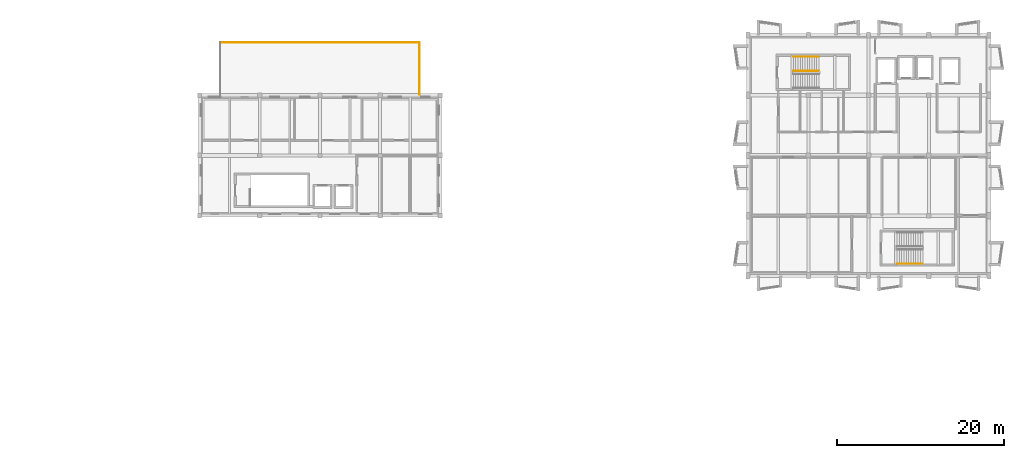
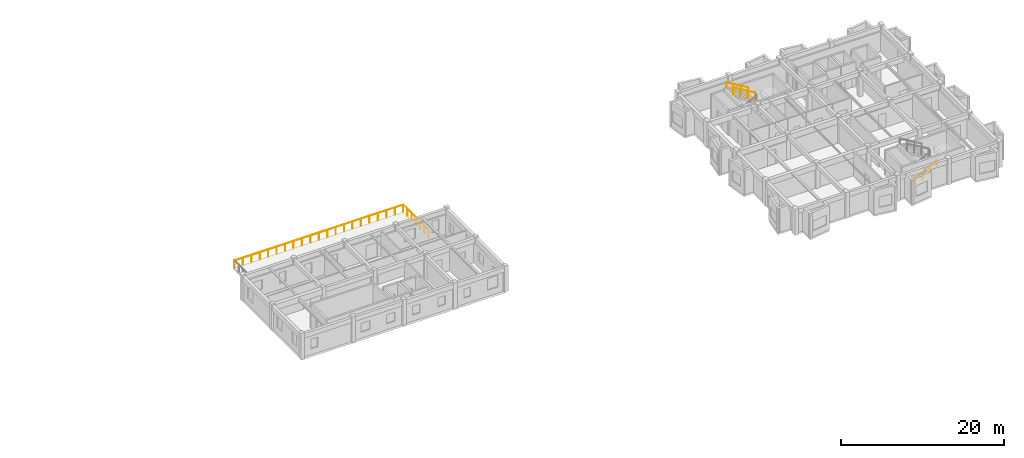
# One storey, part 11 of 12: 5 railings.
"""IFC4 building model written with IfcOpenShell, lengths in metres."""

from ifc_helpers import new_model, si_unit, direction, frame, origin, origin_2d, place, context, subcontext, project, spatial, circle, extrude, material, type_object, element, save


model = new_model("IFC4")

# Units and contexts
model_context = context("Model", 3, precision=1e-05, world=origin(), true_north=direction((0.0, 1.0)))
body_context = subcontext(model_context, "Body", "Model", "MODEL_VIEW")
ifc_project = project(units=[si_unit("LENGTHUNIT", "METRE"), si_unit("AREAUNIT", "SQUARE_METRE"), si_unit("VOLUMEUNIT", "CUBIC_METRE"), si_unit("PLANEANGLEUNIT", "RADIAN"), si_unit("MASSUNIT", "GRAM", prefix="KILO")], contexts=[model_context])

# Site, building, storey
site_placement = place(None, origin())
site = spatial("IfcSite", under=ifc_project, at=site_placement, CompositionType="ELEMENT")
building_placement = place(site_placement, origin())
building = spatial("IfcBuilding", under=site, at=building_placement, Name="Bramveld Media Centre", CompositionType="ELEMENT")
storey_placement = place(building_placement, frame((0.0, 0.0, 21.89990234375)))
storey = spatial("IfcBuildingStorey", under=building, at=storey_placement, Name="L05", CompositionType="ELEMENT", Elevation=21.89990234375)

# Railings
ifc_material_1 = material(Name="Painted galvanized steel stairwell guardrail", Category="steel")
railing_type_1 = type_object("IfcRailingType", Name="RAIL-STAIR-GUARD-1150", PredefinedType="GUARDRAIL", material=ifc_material_1)
railing_1_placement = place(storey_placement, frame((139.679931640625, 107.699951171875, 2.112548828125)))
element("IfcRailing", 1, at=railing_1_placement, inside=storey, type_object=railing_type_1, Name="L05 ST-01 stair guard 3", PredefinedType="GUARDRAIL", context=body_context, shape_type="SweptSolid", body=[
    extrude(circle(Radius=0.02392578125, at=origin_2d()), frame((0.0, 0.0, 1.1259765625), z_axis=(-0.864873446163, 0.0, 0.501989962173), x_axis=(0.0, -1.0, 0.0)), (0.0, 0.0, 1.0), 3.56103515625),
    extrude(circle(Radius=0.02099609375, at=origin_2d()), origin(), (0.0, 0.0, 1.0), 1.101806640625),
    extrude(circle(Radius=0.02099609375, at=origin_2d()), frame((-1.026611328125, 0.0, 0.595947265625)), (0.0, 0.0, 1.0), 1.101806640625),
    extrude(circle(Radius=0.02099609375, at=origin_2d()), frame((-2.05322265625, 0.0, 1.191650390625)), (0.0, 0.0, 1.0), 1.101806640625),
    extrude(circle(Radius=0.02099609375, at=origin_2d()), frame((-3.079833984375, 0.0, 1.78759765625)), (0.0, 0.0, 1.0), 1.101806640625),
])
ifc_material_2 = material(Name="Brushed stainless steel tubular stair handrail", Category="steel")
railing_type_2 = type_object("IfcRailingType", Name="RAIL-STAIR-HAND-0920", PredefinedType="HANDRAIL", material=ifc_material_2)
railing_2_placement = place(storey_placement, frame((139.679931640625, 109.39990234375, 2.112548828125)))
element("IfcRailing", 2, at=railing_2_placement, inside=storey, type_object=railing_type_2, Name="L05 ST-01 stair handrail 2", PredefinedType="HANDRAIL", context=body_context, shape_type="SweptSolid", body=[
    extrude(circle(Radius=0.02392578125, at=origin_2d()), frame((0.0, 0.0, 0.8759765625), z_axis=(-0.864873446163, 0.0, 0.501989962173), x_axis=(0.0, -1.0, 0.0)), (0.0, 0.0, 1.0), 3.56103515625),
    extrude(circle(Radius=0.02099609375, at=origin_2d()), origin(), (0.0, 0.0, 1.0), 0.851806640625),
    extrude(circle(Radius=0.02099609375, at=origin_2d()), frame((-1.026611328125, 0.0, 0.595947265625)), (0.0, 0.0, 1.0), 0.851806640625),
    extrude(circle(Radius=0.02099609375, at=origin_2d()), frame((-2.05322265625, 0.0, 1.191650390625)), (0.0, 0.0, 1.0), 0.851806640625),
    extrude(circle(Radius=0.02099609375, at=origin_2d()), frame((-3.079833984375, 0.0, 1.78759765625)), (0.0, 0.0, 1.0), 0.851806640625),
])
railing_3_placement = place(storey_placement, frame((149.0, 84.64990234375, 0.16259765625)))
element("IfcRailing", 3, at=railing_3_placement, inside=storey, type_object=railing_type_2, Name="L05 ST-02 stair handrail 1", PredefinedType="HANDRAIL", context=body_context, shape_type="SweptSolid", body=[
    extrude(circle(Radius=0.02392578125, at=origin_2d()), frame((0.0, 0.0, 0.8759765625), z_axis=(0.864890721111, 0.0, 0.501960198159), x_axis=(0.0, 1.0, 0.0)), (0.0, 0.0, 1.0), 3.561279296875),
    extrude(circle(Radius=0.02099609375, at=origin_2d()), origin(), (0.0, 0.0, 1.0), 0.851806640625),
    extrude(circle(Radius=0.02099609375, at=origin_2d()), frame((1.026611328125, 0.0, 0.595947265625)), (0.0, 0.0, 1.0), 0.851806640625),
    extrude(circle(Radius=0.02099609375, at=origin_2d()), frame((2.053466796875, 0.0, 1.191650390625)), (0.0, 0.0, 1.0), 0.851806640625),
    extrude(circle(Radius=0.02099609375, at=origin_2d()), frame((3.080078125, 0.0, 1.78759765625)), (0.0, 0.0, 1.0), 0.851806640625),
])
ifc_material_3 = material(Name="Powder-coated bronze galvanized steel balustrade", Category="steel")
railing_type_3 = type_object("IfcRailingType", Name="RAIL-TERRACE-1150", PredefinedType="GUARDRAIL", material=ifc_material_3)
railing_4_placement = place(storey_placement, frame((91.919921875, 111.1201171875, 0.0)))
element("IfcRailing", 4, at=railing_4_placement, inside=storey, type_object=railing_type_3, Name="Curatorial Panorama Loggia N guardrail", PredefinedType="GUARDRAIL", context=body_context, shape_type="SweptSolid", body=[
    extrude(circle(Radius=0.02392578125, at=origin_2d()), frame((0.0, 0.0, 1.1259765625), z_axis=(-1.0, 0.0, 0.0), x_axis=(0.0, -1.0, 0.0)), (0.0, 0.0, 1.0), 23.83984375),
    extrude(circle(Radius=0.02099609375, at=origin_2d()), origin(), (0.0, 0.0, 1.0), 1.101806640625),
    extrude(circle(Radius=0.02099609375, at=origin_2d()), frame((-1.19189453125, 0.0, 0.0)), (0.0, 0.0, 1.0), 1.101806640625),
    extrude(circle(Radius=0.02099609375, at=origin_2d()), frame((-2.384033203125, 0.0, 0.0)), (0.0, 0.0, 1.0), 1.101806640625),
    extrude(circle(Radius=0.02099609375, at=origin_2d()), frame((-3.575927734375, 0.0, 0.0)), (0.0, 0.0, 1.0), 1.101806640625),
    extrude(circle(Radius=0.02099609375, at=origin_2d()), frame((-4.76806640625, 0.0, 0.0)), (0.0, 0.0, 1.0), 1.101806640625),
    extrude(circle(Radius=0.02099609375, at=origin_2d()), frame((-5.9599609375, 0.0, 0.0)), (0.0, 0.0, 1.0), 1.101806640625),
    extrude(circle(Radius=0.02099609375, at=origin_2d()), frame((-7.15185546875, 0.0, 0.0)), (0.0, 0.0, 1.0), 1.101806640625),
    extrude(circle(Radius=0.02099609375, at=origin_2d()), frame((-8.343994140625, 0.0, 0.0)), (0.0, 0.0, 1.0), 1.101806640625),
    extrude(circle(Radius=0.02099609375, at=origin_2d()), frame((-9.535888671875, 0.0, 0.0)), (0.0, 0.0, 1.0), 1.101806640625),
    extrude(circle(Radius=0.02099609375, at=origin_2d()), frame((-10.72802734375, 0.0, 0.0)), (0.0, 0.0, 1.0), 1.101806640625),
    extrude(circle(Radius=0.02099609375, at=origin_2d()), frame((-11.919921875, 0.0, 0.0)), (0.0, 0.0, 1.0), 1.101806640625),
    extrude(circle(Radius=0.02099609375, at=origin_2d()), frame((-13.11181640625, 0.0, 0.0)), (0.0, 0.0, 1.0), 1.101806640625),
    extrude(circle(Radius=0.02099609375, at=origin_2d()), frame((-14.303955078125, 0.0, 0.0)), (0.0, 0.0, 1.0), 1.101806640625),
    extrude(circle(Radius=0.02099609375, at=origin_2d()), frame((-15.495849609375, 0.0, 0.0)), (0.0, 0.0, 1.0), 1.101806640625),
    extrude(circle(Radius=0.02099609375, at=origin_2d()), frame((-16.68798828125, 0.0, 0.0)), (0.0, 0.0, 1.0), 1.101806640625),
    extrude(circle(Radius=0.02099609375, at=origin_2d()), frame((-17.8798828125, 0.0, 0.0)), (0.0, 0.0, 1.0), 1.101806640625),
    extrude(circle(Radius=0.02099609375, at=origin_2d()), frame((-19.07177734375, 0.0, 0.0)), (0.0, 0.0, 1.0), 1.101806640625),
    extrude(circle(Radius=0.02099609375, at=origin_2d()), frame((-20.263916015625, 0.0, 0.0)), (0.0, 0.0, 1.0), 1.101806640625),
    extrude(circle(Radius=0.02099609375, at=origin_2d()), frame((-21.455810546875, 0.0, 0.0)), (0.0, 0.0, 1.0), 1.101806640625),
    extrude(circle(Radius=0.02099609375, at=origin_2d()), frame((-22.64794921875, 0.0, 0.0)), (0.0, 0.0, 1.0), 1.101806640625),
    extrude(circle(Radius=0.02099609375, at=origin_2d()), frame((-23.83984375, 0.0, 0.0)), (0.0, 0.0, 1.0), 1.101806640625),
])
railing_5_placement = place(storey_placement, frame((91.919921875, 104.8798828125, 0.0)))
element("IfcRailing", 5, at=railing_5_placement, inside=storey, type_object=railing_type_3, Name="Curatorial Panorama Loggia E guardrail", PredefinedType="GUARDRAIL", context=body_context, shape_type="SweptSolid", body=[
    extrude(circle(Radius=0.02392578125, at=origin_2d()), frame((0.0, 0.0, 1.1259765625), z_axis=(0.0, 1.0, 0.0), x_axis=(-1.0, 0.0, 0.0)), (0.0, 0.0, 1.0), 6.240234375),
    extrude(circle(Radius=0.02099609375, at=origin_2d()), origin(), (0.0, 0.0, 1.0), 1.101806640625),
    extrude(circle(Radius=0.02099609375, at=origin_2d()), frame((0.0, 1.0400390625, 0.0)), (0.0, 0.0, 1.0), 1.101806640625),
    extrude(circle(Radius=0.02099609375, at=origin_2d()), frame((0.0, 2.080078125, 0.0)), (0.0, 0.0, 1.0), 1.101806640625),
    extrude(circle(Radius=0.02099609375, at=origin_2d()), frame((0.0, 3.1201171875, 0.0)), (0.0, 0.0, 1.0), 1.101806640625),
    extrude(circle(Radius=0.02099609375, at=origin_2d()), frame((0.0, 4.16015625, 0.0)), (0.0, 0.0, 1.0), 1.101806640625),
    extrude(circle(Radius=0.02099609375, at=origin_2d()), frame((0.0, 5.2001953125, 0.0)), (0.0, 0.0, 1.0), 1.101806640625),
    extrude(circle(Radius=0.02099609375, at=origin_2d()), frame((0.0, 6.240234375, 0.0)), (0.0, 0.0, 1.0), 1.101806640625),
])

save(model, "model.ifc")
